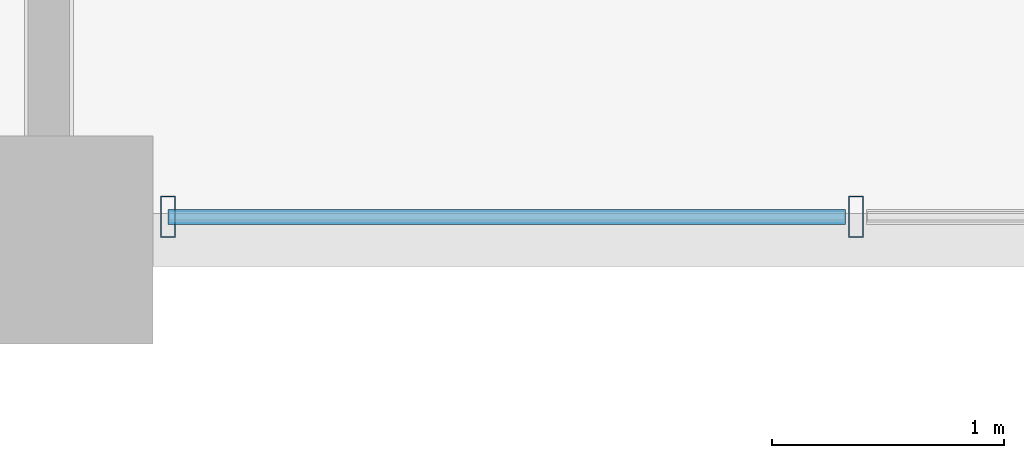
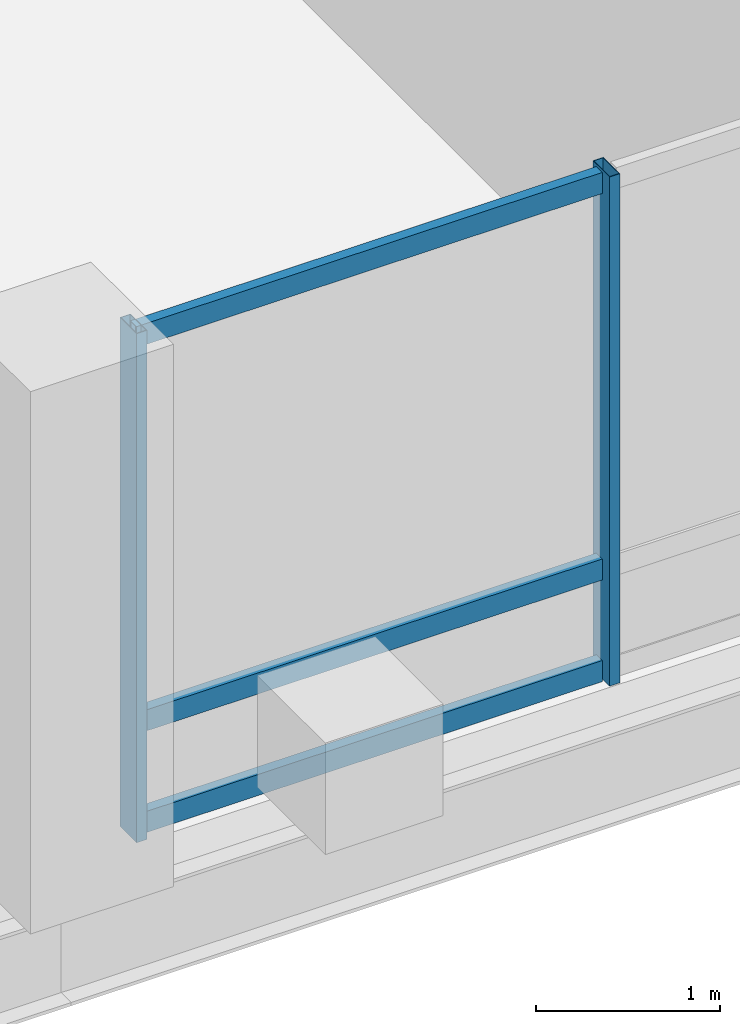
# One storey, part 2 of 21: 5 members, 1 element without a shape of its own.
"""IFC4 building model written with IfcOpenShell, lengths in metres."""

from ifc_helpers import new_model, si_unit, direction, frame, origin, origin_2d, place, context, subcontext, project, spatial, hollow_rectangle, extrude, material, layer, layer_set, material_profile, profile_set, type_object, element, aggregate, save


model = new_model("IFC4")

# Units and contexts
model_context = context("Model", 3, precision=1e-05, world=origin(), true_north=direction((0.0, 1.0)))
body_context = subcontext(model_context, "Body", "Model", "MODEL_VIEW")
ifc_project = project(units=[si_unit("LENGTHUNIT", "METRE"), si_unit("AREAUNIT", "SQUARE_METRE"), si_unit("VOLUMEUNIT", "CUBIC_METRE"), si_unit("PLANEANGLEUNIT", "RADIAN"), si_unit("MASSUNIT", "GRAM", prefix="KILO")], contexts=[model_context])

# Site, building, storey
site_placement = place(None, origin())
site = spatial("IfcSite", under=ifc_project, at=site_placement, CompositionType="ELEMENT")
building_placement = place(site_placement, origin())
building = spatial("IfcBuilding", under=site, at=building_placement, Name="Barlavira Tower and Art Museum", CompositionType="ELEMENT")
storey_placement = place(building_placement, frame((0.0, 0.0, 254.699951171875)))
storey = spatial("IfcBuildingStorey", under=building, at=storey_placement, Name="L66", CompositionType="ELEMENT", Elevation=254.699951171875)

# Curtain wall, members
ifc_material_1 = material(Name="Low-iron coastal laminated glass", Category="glass")
ifc_layer = layer(ifc_material_1, 0.2099609375, Name="Low-iron coastal laminated glass")
ifc_layer_set = layer_set([ifc_layer], Name="Low-iron coastal laminated glass")
curtain_wall_type = type_object("IfcCurtainWallType", Name="Pale-Metal Unitised Curtain Wall Zone 4", PredefinedType="NOTDEFINED", material=ifc_layer_set)
curtain_wall_placement = place(storey_placement, origin())
curtain_wall = element("IfcCurtainWall", 1, at=curtain_wall_placement, inside=storey, type_object=curtain_wall_type, Name="L66 Curtain Wall CW4-L66-S-B2", PredefinedType="NOTDEFINED")
ifc_material_2 = material(Name="Pale anodised aluminium", Category="aluminium")
ifc_material_profile_1 = material_profile(ifc_material_2, hollow_rectangle(XDim=0.06494140625, YDim=0.179931640625, WallThickness=0.00390625, at=origin_2d()), Name="ALU-MULL 65x180x4")
ifc_profile_set_1 = profile_set([ifc_material_profile_1], Name="Pale anodised aluminium")
member_type_1 = type_object("IfcMemberType", Name="Curtain Wall Pale-Metal Mullion 65x180", PredefinedType="MULLION", material=ifc_profile_set_1)
member_1_placement = place(storey_placement, frame((-5.985107421875, -19.89990234375, 0.0), z_axis=(0.0, 0.0, 1.0), x_axis=(1.0, 0.0, 0.0)))
member_1 = element("IfcMember", 2, at=member_1_placement, type_object=member_type_1, Name="CW4-L66-S-B2 Mullion 0", PredefinedType="MULLION", context=body_context, shape_type="SweptSolid", body=[
    extrude(hollow_rectangle(XDim=0.06494140625, YDim=0.179931640625, WallThickness=0.00390625, at=origin_2d()), origin(), (0.0, 0.0, 1.0), 3.380126953125),
])
member_2_placement = place(storey_placement, frame((-3.014892578125, -19.89990234375, 0.0), z_axis=(0.0, 0.0, 1.0), x_axis=(1.0, 0.0, 0.0)))
member_2 = element("IfcMember", 3, at=member_2_placement, type_object=member_type_1, Name="CW4-L66-S-B2 Mullion 1", PredefinedType="MULLION", context=body_context, shape_type="SweptSolid", body=[
    extrude(hollow_rectangle(XDim=0.06494140625, YDim=0.179931640625, WallThickness=0.00390625, at=origin_2d()), origin(), (0.0, 0.0, 1.0), 3.380126953125),
])
ifc_material_profile_2 = material_profile(ifc_material_2, hollow_rectangle(XDim=0.06494140625, YDim=0.139892578125, WallThickness=0.00390625, at=origin_2d()), Name="ALU-TRAN 65x140x4")
ifc_profile_set_2 = profile_set([ifc_material_profile_2], Name="Pale anodised aluminium")
member_type_2 = type_object("IfcMemberType", Name="Curtain Wall Pale-Metal Transom 65x140", PredefinedType="USERDEFINED", material=ifc_profile_set_2)
member_3_placement = place(storey_placement, frame((-5.985107421875, -19.89990234375, 0.070068359375), z_axis=(1.0, 0.0, 0.0), x_axis=(0.0, 1.0, 0.0)))
member_3 = element("IfcMember", 4, at=member_3_placement, type_object=member_type_2, Name="CW4-L66-S-B2 Transom 0.1", ObjectType="TRANSOM", PredefinedType="USERDEFINED", context=body_context, shape_type="SweptSolid", body=[
    extrude(hollow_rectangle(XDim=0.06494140625, YDim=0.139892578125, WallThickness=0.00390625, at=origin_2d()), origin(), (0.0, 0.0, 1.0), 2.925048828125),
])
member_4_placement = place(storey_placement, frame((-5.985107421875, -19.89990234375, 0.744140625), z_axis=(1.0, 0.0, 0.0), x_axis=(0.0, 1.0, 0.0)))
member_4 = element("IfcMember", 5, at=member_4_placement, type_object=member_type_2, Name="CW4-L66-S-B2 Transom 0.2", ObjectType="TRANSOM", PredefinedType="USERDEFINED", context=body_context, shape_type="SweptSolid", body=[
    extrude(hollow_rectangle(XDim=0.06494140625, YDim=0.139892578125, WallThickness=0.00390625, at=origin_2d()), origin(), (0.0, 0.0, 1.0), 2.925048828125),
])
member_5_placement = place(storey_placement, frame((-5.985107421875, -19.89990234375, 3.31005859375), z_axis=(1.0, 0.0, 0.0), x_axis=(0.0, 1.0, 0.0)))
member_5 = element("IfcMember", 6, at=member_5_placement, type_object=member_type_2, Name="CW4-L66-S-B2 Transom 0.3", ObjectType="TRANSOM", PredefinedType="USERDEFINED", context=body_context, shape_type="SweptSolid", body=[
    extrude(hollow_rectangle(XDim=0.06494140625, YDim=0.139892578125, WallThickness=0.00390625, at=origin_2d()), origin(), (0.0, 0.0, 1.0), 2.925048828125),
])
aggregate(curtain_wall, [member_1, member_2, member_3, member_4, member_5])

save(model, "model.ifc")
